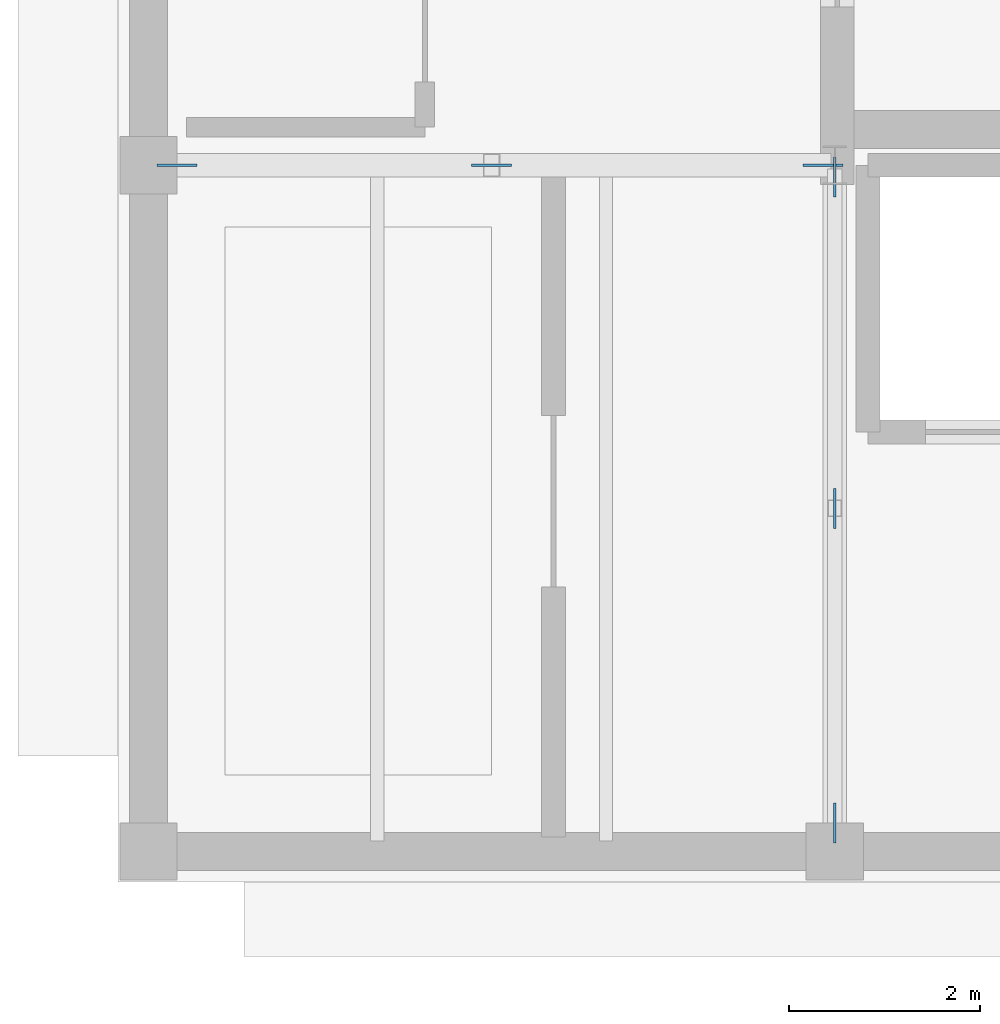
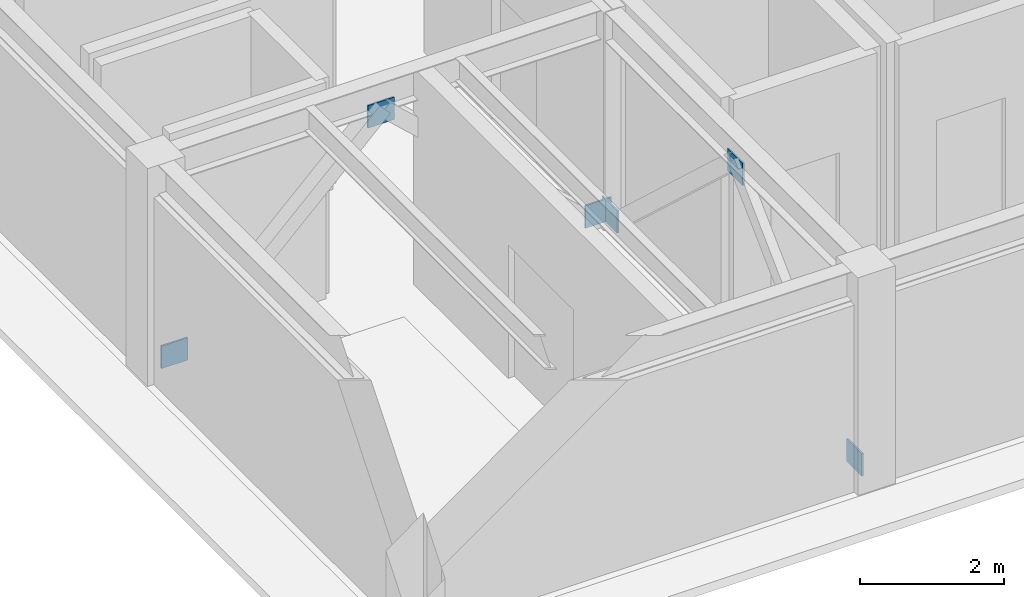
# One storey, part 6 of 8: 6 discrete accessories.
"""IFC4 building model written with IfcOpenShell, lengths in metres."""

from ifc_helpers import new_model, si_unit, direction, frame, origin, origin_2d, place, context, subcontext, project, spatial, rectangle, extrude, material, type_object, element, save


model = new_model("IFC4")

# Units and contexts
model_context = context("Model", 3, precision=1e-05, world=origin(), true_north=direction((0.0, 1.0)))
body_context = subcontext(model_context, "Body", "Model", "MODEL_VIEW")
ifc_project = project(units=[si_unit("LENGTHUNIT", "METRE"), si_unit("AREAUNIT", "SQUARE_METRE"), si_unit("VOLUMEUNIT", "CUBIC_METRE"), si_unit("PLANEANGLEUNIT", "RADIAN"), si_unit("MASSUNIT", "GRAM", prefix="KILO")], contexts=[model_context])

# Site, building, storey
site_placement = place(None, origin())
site = spatial("IfcSite", under=ifc_project, at=site_placement, CompositionType="ELEMENT")
building_placement = place(site_placement, origin())
building = spatial("IfcBuilding", under=site, at=building_placement, Name="Kandorven Conservatory and Botanical Research Centre", CompositionType="ELEMENT")
storey_placement = place(building_placement, frame((0.0, 0.0, 40.5)))
storey = spatial("IfcBuildingStorey", under=building, at=storey_placement, Name="L10", CompositionType="ELEMENT", Elevation=40.5)

# Discrete accessories
ifc_material = material(Name="Steel S355 (IS 2062 E350)", Category="steel")
discrete_accessory_type = type_object("IfcDiscreteAccessoryType", Name="BraceGussetPlate", PredefinedType="BRACKET", material=ifc_material)
for number, where, z_axis, x_axis, name in (
    (1, (6.300048828125, 13.199951171875, -0.010009765625), (0.0, 0.0, 1.0), (1.0, 0.0, 0.0), "Welded chevron brace gusset plate L10 X-W"),
    (2, (9.60009765625, 13.199951171875, 2.900146484375), (0.0, 0.0, 1.0), (1.0, 0.0, 0.0), "Welded chevron brace gusset plate L10 X-M"),
    (3, (13.074951171875, 13.199951171875, -0.010009765625), (0.0, 0.0, 1.0), (1.0, 0.0, 0.0), "Welded chevron brace gusset plate L10 X-E"),
):
    element("IfcDiscreteAccessory", number, at=place(storey_placement, frame(where, z_axis=z_axis, x_axis=x_axis)), inside=storey, type_object=discrete_accessory_type, Name=name, PredefinedType="BRACKET", context=body_context, shape_type="SweptSolid", body=[
        extrude(rectangle(XDim=0.419921875, YDim=0.028076171875, at=origin_2d()), origin(), (0.0, 0.0, 1.0), 0.3798828125),
    ])
for number, where, z_axis, x_axis, name in (
    (4, (13.199951171875, 6.300048828125, -0.010009765625), (0.0, 0.0, 1.0), (1.0, 0.0, 0.0), "Welded chevron brace gusset plate L10 Y-S"),
    (5, (13.199951171875, 9.60009765625, 2.900146484375), (0.0, 0.0, 1.0), (1.0, 0.0, 0.0), "Welded chevron brace gusset plate L10 Y-M"),
    (6, (13.199951171875, 13.074951171875, -0.010009765625), (0.0, 0.0, 1.0), (1.0, 0.0, 0.0), "Welded chevron brace gusset plate L10 Y-N"),
):
    element("IfcDiscreteAccessory", number, at=place(storey_placement, frame(where, z_axis=z_axis, x_axis=x_axis)), inside=storey, type_object=discrete_accessory_type, Name=name, PredefinedType="BRACKET", context=body_context, shape_type="SweptSolid", body=[
        extrude(rectangle(XDim=0.028076171875, YDim=0.419921875, at=origin_2d()), origin(), (0.0, 0.0, 1.0), 0.3798828125),
    ])

save(model, "model.ifc")
